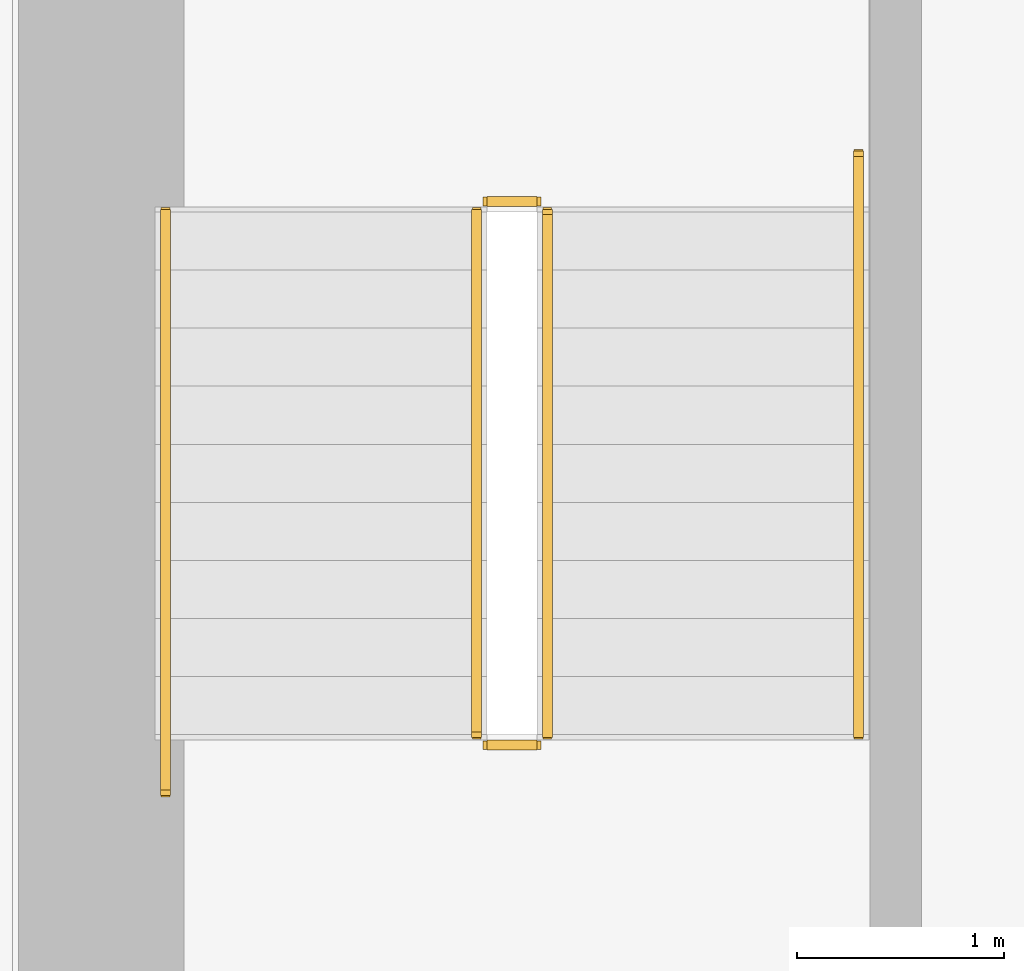
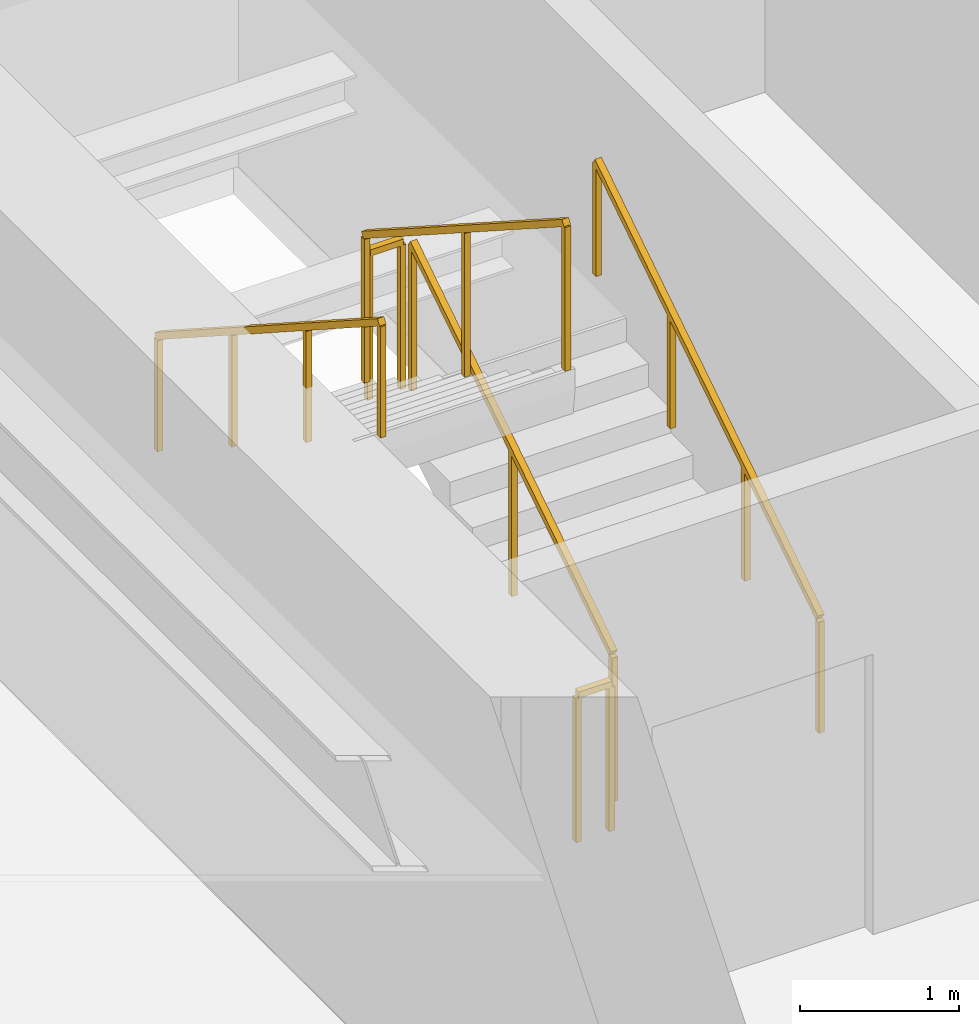
# One storey, part 30 of 33: 6 railings.
"""IFC4 building model written with IfcOpenShell, lengths in metres."""

from ifc_helpers import new_model, si_unit, direction, frame, origin, origin_2d, place, context, subcontext, project, spatial, rectangle, extrude, material, type_object, element, save


model = new_model("IFC4")

# Units and contexts
model_context = context("Model", 3, precision=1e-05, world=origin(), true_north=direction((0.0, 1.0)))
body_context = subcontext(model_context, "Body", "Model", "MODEL_VIEW")
ifc_project = project(units=[si_unit("LENGTHUNIT", "METRE"), si_unit("AREAUNIT", "SQUARE_METRE"), si_unit("VOLUMEUNIT", "CUBIC_METRE"), si_unit("PLANEANGLEUNIT", "RADIAN"), si_unit("MASSUNIT", "GRAM", prefix="KILO")], contexts=[model_context])

# Site, building, storey
site_placement = place(None, origin())
site = spatial("IfcSite", under=ifc_project, at=site_placement, CompositionType="ELEMENT")
building_placement = place(site_placement, origin())
building = spatial("IfcBuilding", under=site, at=building_placement, Name="Sumidabori Civic Tower", CompositionType="ELEMENT")
storey_placement = place(building_placement, frame((0.0, 0.0, 66.800048828125)))
storey = spatial("IfcBuildingStorey", under=building, at=storey_placement, Name="L17", CompositionType="ELEMENT", Elevation=66.800048828125)

# Railings
ifc_material_1 = material(Name="Stainless Steel Hairline Finish", Category="steel")
railing_type_1 = type_object("IfcRailingType", Name="RL-HANDRAIL", PredefinedType="HANDRAIL", material=ifc_material_1)
railing_1_placement = place(storey_placement, frame((-11.949951171875, 16.0, 0.179931640625)))
element("IfcRailing", 1, at=railing_1_placement, inside=storey, type_object=railing_type_1, Name="L17 ST-1 stair handrail 1", PredefinedType="HANDRAIL", context=body_context, shape_type="SweptSolid", body=[
    extrude(rectangle(XDim=0.048095703125, YDim=0.048095703125, at=origin_2d()), frame((0.0, 0.0, 0.8759765625), z_axis=(0.0, 0.840675598268, 0.541539046124), x_axis=(-1.0, 0.0, 0.0)), (0.0, 0.0, 1.0), 3.330810546875),
    extrude(rectangle(XDim=0.0419921875, YDim=0.0419921875, at=origin_2d()), origin(), (0.0, 0.0, 1.0), 0.851806640625),
    extrude(rectangle(XDim=0.0419921875, YDim=0.0419921875, at=origin_2d()), frame((0.0, 0.933349609375, 0.601318359375)), (0.0, 0.0, 1.0), 0.851806640625),
    extrude(rectangle(XDim=0.0419921875, YDim=0.0419921875, at=origin_2d()), frame((0.0, 1.86669921875, 1.202392578125)), (0.0, 0.0, 1.0), 0.851806640625),
    extrude(rectangle(XDim=0.0419921875, YDim=0.0419921875, at=origin_2d()), frame((0.0, 2.800048828125, 1.8037109375)), (0.0, 0.0, 1.0), 0.851806640625),
])
railing_2_placement = place(storey_placement, frame((-15.2900390625, 18.52001953125, 1.97998046875)))
element("IfcRailing", 2, at=railing_2_placement, inside=storey, type_object=railing_type_1, Name="L17 ST-1 stair handrail 2", PredefinedType="HANDRAIL", context=body_context, shape_type="SweptSolid", body=[
    extrude(rectangle(XDim=0.048095703125, YDim=0.048095703125, at=origin_2d()), frame((0.0, 0.0, 0.8759765625), z_axis=(0.0, -0.840675598268, 0.541539046124), x_axis=(1.0, 0.0, 0.0)), (0.0, 0.0, 1.0), 3.330810546875),
    extrude(rectangle(XDim=0.0419921875, YDim=0.0419921875, at=origin_2d()), origin(), (0.0, 0.0, 1.0), 0.851806640625),
    extrude(rectangle(XDim=0.0419921875, YDim=0.0419921875, at=origin_2d()), frame((0.0, -0.933349609375, 0.601318359375)), (0.0, 0.0, 1.0), 0.851806640625),
    extrude(rectangle(XDim=0.0419921875, YDim=0.0419921875, at=origin_2d()), frame((0.0, -1.86669921875, 1.202392578125)), (0.0, 0.0, 1.0), 0.851806640625),
    extrude(rectangle(XDim=0.0419921875, YDim=0.0419921875, at=origin_2d()), frame((0.0, -2.800048828125, 1.8037109375)), (0.0, 0.0, 1.0), 0.851806640625),
])
ifc_material_2 = material(Name="Steel SN490", Category="steel")
railing_type_2 = type_object("IfcRailingType", Name="RL-STAIR-GUARD", PredefinedType="GUARDRAIL", material=ifc_material_2)
railing_3_placement = place(storey_placement, frame((-13.449951171875, 16.0, 0.179931640625)))
element("IfcRailing", 3, at=railing_3_placement, inside=storey, type_object=railing_type_2, Name="L17 ST-1 stair guard 1", PredefinedType="GUARDRAIL", context=body_context, shape_type="SweptSolid", body=[
    extrude(rectangle(XDim=0.048095703125, YDim=0.048095703125, at=origin_2d()), frame((0.0, 0.0, 1.1259765625), z_axis=(0.0, 0.841162588446, 0.540782303519), x_axis=(-1.0, 0.0, 0.0)), (0.0, 0.0, 1.0), 2.995849609375),
    extrude(rectangle(XDim=0.0419921875, YDim=0.0419921875, at=origin_2d()), origin(), (0.0, 0.0, 1.0), 1.101806640625),
    extrude(rectangle(XDim=0.0419921875, YDim=0.0419921875, at=origin_2d()), frame((0.0, 1.260009765625, 0.81005859375)), (0.0, 0.0, 1.0), 1.101806640625),
    extrude(rectangle(XDim=0.0419921875, YDim=0.0419921875, at=origin_2d()), frame((0.0, 2.52001953125, 1.6201171875)), (0.0, 0.0, 1.0), 1.101806640625),
])
railing_4_placement = place(storey_placement, frame((-13.5, 18.570068359375, 1.800048828125)))
element("IfcRailing", 4, at=railing_4_placement, inside=storey, type_object=railing_type_2, Name="L17 ST-1 stair guard 2", PredefinedType="GUARDRAIL", context=body_context, shape_type="SweptSolid", body=[
    extrude(rectangle(XDim=0.048095703125, YDim=0.048095703125, at=origin_2d()), frame((0.0, 0.0, 1.1259765625), z_axis=(-1.0, 0.0, 0.0), x_axis=(0.0, -1.0, 0.0)), (0.0, 0.0, 1.0), 0.239990234375),
    extrude(rectangle(XDim=0.0419921875, YDim=0.0419921875, at=origin_2d()), origin(), (0.0, 0.0, 1.0), 1.101806640625),
    extrude(rectangle(XDim=0.0419921875, YDim=0.0419921875, at=origin_2d()), frame((-0.239990234375, 0.0, 0.0)), (0.0, 0.0, 1.0), 1.101806640625),
])
railing_5_placement = place(storey_placement, frame((-13.7900390625, 18.52001953125, 1.97998046875)))
element("IfcRailing", 5, at=railing_5_placement, inside=storey, type_object=railing_type_2, Name="L17 ST-1 stair guard 3", PredefinedType="GUARDRAIL", context=body_context, shape_type="SweptSolid", body=[
    extrude(rectangle(XDim=0.048095703125, YDim=0.048095703125, at=origin_2d()), frame((0.0, 0.0, 1.1259765625), z_axis=(0.0, -0.841199657755, 0.540724639528), x_axis=(1.0, 0.0, 0.0)), (0.0, 0.0, 1.0), 2.995849609375),
    extrude(rectangle(XDim=0.0419921875, YDim=0.0419921875, at=origin_2d()), origin(), (0.0, 0.0, 1.0), 1.101806640625),
    extrude(rectangle(XDim=0.0419921875, YDim=0.0419921875, at=origin_2d()), frame((0.0, -1.260009765625, 0.81005859375)), (0.0, 0.0, 1.0), 1.101806640625),
    extrude(rectangle(XDim=0.0419921875, YDim=0.0419921875, at=origin_2d()), frame((0.0, -2.52001953125, 1.619873046875)), (0.0, 0.0, 1.0), 1.101806640625),
])
railing_6_placement = place(storey_placement, frame((-13.5, 15.949951171875, 0.0)))
element("IfcRailing", 6, at=railing_6_placement, inside=storey, type_object=railing_type_2, Name="L17 ST-1 stair guard 4", PredefinedType="GUARDRAIL", context=body_context, shape_type="SweptSolid", body=[
    extrude(rectangle(XDim=0.048095703125, YDim=0.048095703125, at=origin_2d()), frame((0.0, 0.0, 1.1259765625), z_axis=(-1.0, 0.0, 0.0), x_axis=(0.0, -1.0, 0.0)), (0.0, 0.0, 1.0), 0.239990234375),
    extrude(rectangle(XDim=0.0419921875, YDim=0.0419921875, at=origin_2d()), origin(), (0.0, 0.0, 1.0), 1.101806640625),
    extrude(rectangle(XDim=0.0419921875, YDim=0.0419921875, at=origin_2d()), frame((-0.239990234375, 0.0, 0.0)), (0.0, 0.0, 1.0), 1.101806640625),
])

save(model, "model.ifc")
